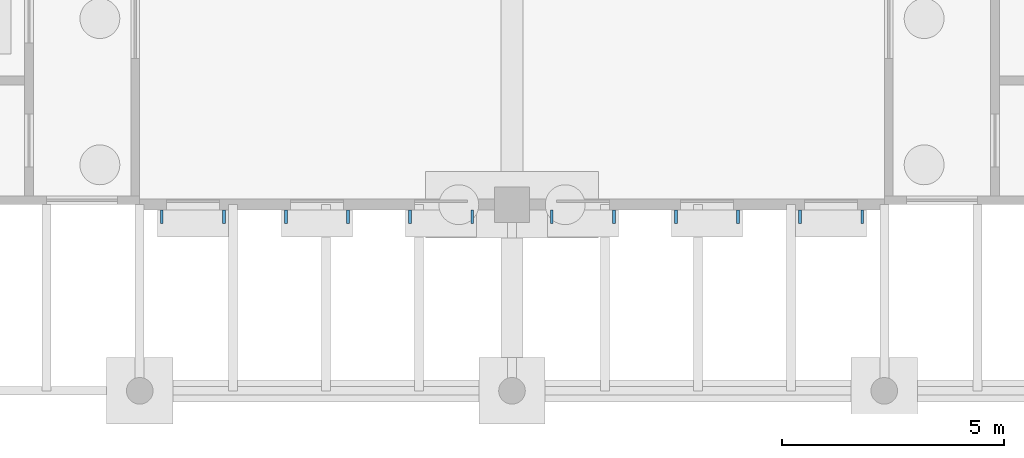
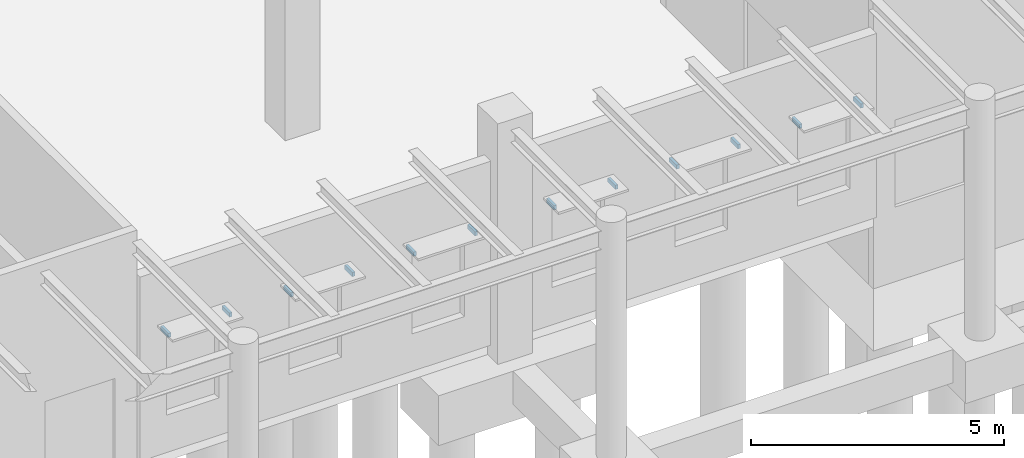
# One storey, part 51 of 82: 12 discrete accessories.
"""IFC4 building model written with IfcOpenShell, lengths in metres."""

from ifc_helpers import new_model, si_unit, direction, frame, origin, origin_2d, place, context, subcontext, project, spatial, rectangle, extrude, material, type_object, element, save


model = new_model("IFC4")

# Units and contexts
model_context = context("Model", 3, precision=1e-05, world=origin(), true_north=direction((0.0, 1.0)))
body_context = subcontext(model_context, "Body", "Model", "MODEL_VIEW")
ifc_project = project(units=[si_unit("LENGTHUNIT", "METRE"), si_unit("AREAUNIT", "SQUARE_METRE"), si_unit("VOLUMEUNIT", "CUBIC_METRE"), si_unit("PLANEANGLEUNIT", "RADIAN"), si_unit("MASSUNIT", "GRAM", prefix="KILO")], contexts=[model_context])

# Site, building, storey
site_placement = place(None, origin())
site = spatial("IfcSite", under=ifc_project, at=site_placement, CompositionType="ELEMENT")
building_placement = place(site_placement, origin())
building = spatial("IfcBuilding", under=site, at=building_placement, Name="Almond Square Museum", CompositionType="ELEMENT")
storey_placement = place(building_placement, origin())
storey = spatial("IfcBuildingStorey", under=building, at=storey_placement, Name="L00", CompositionType="ELEMENT", Elevation=0.0)

# Discrete accessories
ifc_material = material(Name="Stainless steel", Category="steel")
discrete_accessory_type = type_object("IfcDiscreteAccessoryType", Name="Sun-shade blade bracket", PredefinedType="BRACKET", material=ifc_material)
for number, where, z_axis, x_axis, name in (
    (1, (48.5, 83.72705078125, 2.9970703125), (0.0, 0.0, 1.0), (1.0, 0.0, 0.0), "Bracket sun-shade blade"),
    (2, (49.89990234375, 83.72705078125, 2.9970703125), (0.0, 0.0, 1.0), (1.0, 0.0, 0.0), "Bracket sun-shade blade"),
    (3, (51.300048828125, 83.72705078125, 2.9970703125), (0.0, 0.0, 1.0), (1.0, 0.0, 0.0), "Bracket sun-shade blade"),
    (4, (52.699951171875, 83.72705078125, 2.9970703125), (0.0, 0.0, 1.0), (1.0, 0.0, 0.0), "Bracket sun-shade blade"),
    (5, (54.10009765625, 83.72705078125, 2.9970703125), (0.0, 0.0, 1.0), (1.0, 0.0, 0.0), "Bracket sun-shade blade"),
    (6, (55.5, 83.72705078125, 2.9970703125), (0.0, 0.0, 1.0), (1.0, 0.0, 0.0), "Bracket sun-shade blade"),
    (7, (57.300048828125, 83.72705078125, 2.9970703125), (0.0, 0.0, 1.0), (1.0, 0.0, 0.0), "Bracket sun-shade blade"),
    (8, (58.699951171875, 83.72705078125, 2.9970703125), (0.0, 0.0, 1.0), (1.0, 0.0, 0.0), "Bracket sun-shade blade"),
    (9, (60.10009765625, 83.72705078125, 2.9970703125), (0.0, 0.0, 1.0), (1.0, 0.0, 0.0), "Bracket sun-shade blade"),
    (10, (61.5, 83.72705078125, 2.9970703125), (0.0, 0.0, 1.0), (1.0, 0.0, 0.0), "Bracket sun-shade blade"),
    (11, (62.89990234375, 83.72705078125, 2.9970703125), (0.0, 0.0, 1.0), (1.0, 0.0, 0.0), "Bracket sun-shade blade"),
    (12, (64.300048828125, 83.72705078125, 2.9970703125), (0.0, 0.0, 1.0), (1.0, 0.0, 0.0), "Bracket sun-shade blade"),
):
    element("IfcDiscreteAccessory", number, at=place(storey_placement, frame(where, z_axis=z_axis, x_axis=x_axis)), inside=storey, type_object=discrete_accessory_type, Name=name, PredefinedType="BRACKET", context=body_context, shape_type="SweptSolid", body=[
        extrude(rectangle(XDim=0.06005859375, YDim=0.300048828125, at=origin_2d()), origin(), (0.0, 0.0, 1.0), 0.10009765625),
    ])

save(model, "model.ifc")
